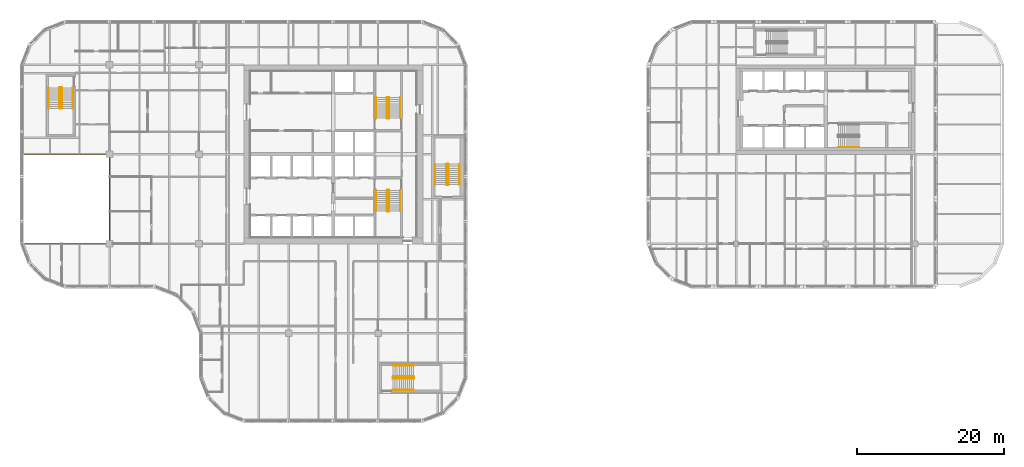
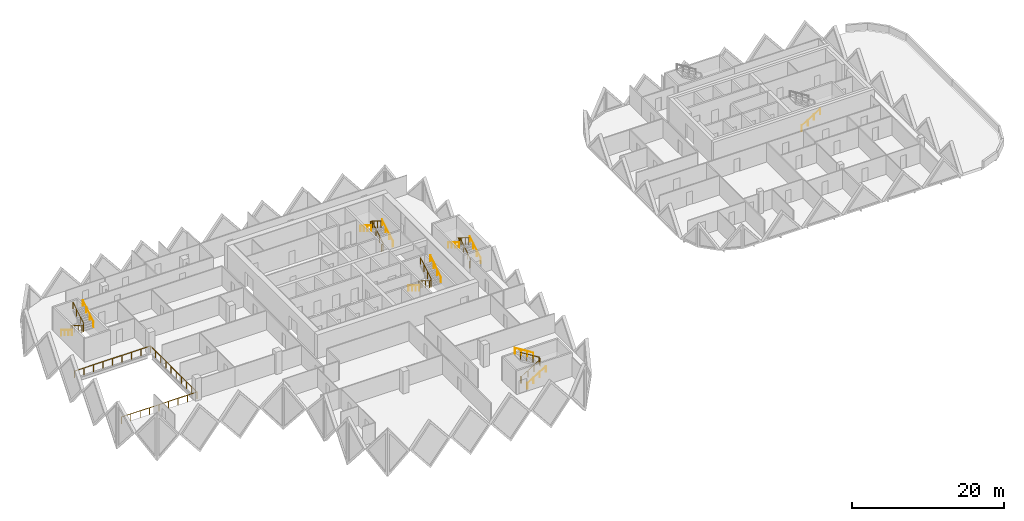
# One storey, part 17 of 18: 17 railings.
"""IFC4 building model written with IfcOpenShell, lengths in metres."""

from ifc_helpers import new_model, si_unit, direction, frame, origin, origin_2d, place, context, subcontext, project, spatial, circle, extrude, material, type_object, element, save


model = new_model("IFC4")

# Units and contexts
model_context = context("Model", 3, precision=1e-05, world=origin(), true_north=direction((0.0, 1.0)))
body_context = subcontext(model_context, "Body", "Model", "MODEL_VIEW")
ifc_project = project(units=[si_unit("LENGTHUNIT", "METRE"), si_unit("AREAUNIT", "SQUARE_METRE"), si_unit("VOLUMEUNIT", "CUBIC_METRE"), si_unit("PLANEANGLEUNIT", "RADIAN"), si_unit("MASSUNIT", "GRAM", prefix="KILO")], contexts=[model_context])

# Site, building, storey
site_placement = place(None, origin())
site = spatial("IfcSite", under=ifc_project, at=site_placement, CompositionType="ELEMENT")
building_placement = place(site_placement, origin())
building = spatial("IfcBuilding", under=site, at=building_placement, Name="Tessera Gate Towers", CompositionType="ELEMENT")
storey_placement = place(building_placement, frame((0.0, 0.0, 95.199951171875)))
storey = spatial("IfcBuildingStorey", under=building, at=storey_placement, Name="L23", CompositionType="ELEMENT", Elevation=95.199951171875)

# Railings
ifc_material_1 = material(Name="Toughened glass with stainless steel handrail", Category="steel")
railing_type_1 = type_object("IfcRailingType", Name="GUARD 1100 GLASS BALUSTRADE", PredefinedType="GUARDRAIL", material=ifc_material_1)
railing_1_placement = place(storey_placement, frame((0.750244140625, 24.39990234375, 0.0)))
element("IfcRailing", 1, at=railing_1_placement, inside=storey, type_object=railing_type_1, Name="Guard", PredefinedType="GUARDRAIL", context=body_context, shape_type="SweptSolid", body=[
    extrude(circle(Radius=0.02490234375, at=origin_2d()), frame((0.0, 0.0, 1.0751953125), z_axis=(1.0, 0.0, 0.0), x_axis=(0.0, 1.0, 0.0)), (0.0, 0.0, 1.0), 11.44970703125),
    extrude(circle(Radius=0.02490234375, at=origin_2d()), frame((11.44970703125, 0.0, 1.0751953125), z_axis=(0.0, 1.0, 0.0), x_axis=(-1.0, 0.0, 0.0)), (0.0, 0.0, 1.0), 12.2001953125),
    extrude(circle(Radius=0.02490234375, at=origin_2d()), frame((11.44970703125, 12.2001953125, 1.0751953125), z_axis=(-1.0, 0.0, 0.0), x_axis=(0.0, -1.0, 0.0)), (0.0, 0.0, 1.0), 11.5),
    extrude(circle(Radius=0.02490234375, at=origin_2d()), origin(), (0.0, 0.0, 1.0), 1.050048828125),
    extrude(circle(Radius=0.02490234375, at=origin_2d()), frame((1.43115234375, 0.0, 0.0)), (0.0, 0.0, 1.0), 1.050048828125),
    extrude(circle(Radius=0.02490234375, at=origin_2d()), frame((2.8623046875, 0.0, 0.0)), (0.0, 0.0, 1.0), 1.050048828125),
    extrude(circle(Radius=0.02490234375, at=origin_2d()), frame((4.293701171875, 0.0, 0.0)), (0.0, 0.0, 1.0), 1.050048828125),
    extrude(circle(Radius=0.02490234375, at=origin_2d()), frame((5.724853515625, 0.0, 0.0)), (0.0, 0.0, 1.0), 1.050048828125),
    extrude(circle(Radius=0.02490234375, at=origin_2d()), frame((7.156005859375, 0.0, 0.0)), (0.0, 0.0, 1.0), 1.050048828125),
    extrude(circle(Radius=0.02490234375, at=origin_2d()), frame((8.58740234375, 0.0, 0.0)), (0.0, 0.0, 1.0), 1.050048828125),
    extrude(circle(Radius=0.02490234375, at=origin_2d()), frame((10.0185546875, 0.0, 0.0)), (0.0, 0.0, 1.0), 1.050048828125),
    extrude(circle(Radius=0.02490234375, at=origin_2d()), frame((11.44970703125, 0.0, 0.0)), (0.0, 0.0, 1.0), 1.050048828125),
    extrude(circle(Radius=0.02490234375, at=origin_2d()), frame((11.44970703125, 1.35546875, 0.0)), (0.0, 0.0, 1.0), 1.050048828125),
    extrude(circle(Radius=0.02490234375, at=origin_2d()), frame((11.44970703125, 2.711181640625, 0.0)), (0.0, 0.0, 1.0), 1.050048828125),
    extrude(circle(Radius=0.02490234375, at=origin_2d()), frame((11.44970703125, 4.066650390625, 0.0)), (0.0, 0.0, 1.0), 1.050048828125),
    extrude(circle(Radius=0.02490234375, at=origin_2d()), frame((11.44970703125, 5.42236328125, 0.0)), (0.0, 0.0, 1.0), 1.050048828125),
    extrude(circle(Radius=0.02490234375, at=origin_2d()), frame((11.44970703125, 6.77783203125, 0.0)), (0.0, 0.0, 1.0), 1.050048828125),
    extrude(circle(Radius=0.02490234375, at=origin_2d()), frame((11.44970703125, 8.133544921875, 0.0)), (0.0, 0.0, 1.0), 1.050048828125),
    extrude(circle(Radius=0.02490234375, at=origin_2d()), frame((11.44970703125, 9.489013671875, 0.0)), (0.0, 0.0, 1.0), 1.050048828125),
    extrude(circle(Radius=0.02490234375, at=origin_2d()), frame((11.44970703125, 10.8447265625, 0.0)), (0.0, 0.0, 1.0), 1.050048828125),
    extrude(circle(Radius=0.02490234375, at=origin_2d()), frame((11.44970703125, 12.2001953125, 0.0)), (0.0, 0.0, 1.0), 1.050048828125),
    extrude(circle(Radius=0.02490234375, at=origin_2d()), frame((10.01220703125, 12.2001953125, 0.0)), (0.0, 0.0, 1.0), 1.050048828125),
    extrude(circle(Radius=0.02490234375, at=origin_2d()), frame((8.57470703125, 12.2001953125, 0.0)), (0.0, 0.0, 1.0), 1.050048828125),
    extrude(circle(Radius=0.02490234375, at=origin_2d()), frame((7.13720703125, 12.2001953125, 0.0)), (0.0, 0.0, 1.0), 1.050048828125),
    extrude(circle(Radius=0.02490234375, at=origin_2d()), frame((5.69970703125, 12.2001953125, 0.0)), (0.0, 0.0, 1.0), 1.050048828125),
    extrude(circle(Radius=0.02490234375, at=origin_2d()), frame((4.26220703125, 12.2001953125, 0.0)), (0.0, 0.0, 1.0), 1.050048828125),
    extrude(circle(Radius=0.02490234375, at=origin_2d()), frame((2.82470703125, 12.2001953125, 0.0)), (0.0, 0.0, 1.0), 1.050048828125),
    extrude(circle(Radius=0.02490234375, at=origin_2d()), frame((1.38720703125, 12.2001953125, 0.0)), (0.0, 0.0, 1.0), 1.050048828125),
    extrude(circle(Radius=0.02490234375, at=origin_2d()), frame((-0.05029296875, 12.2001953125, 0.0)), (0.0, 0.0, 1.0), 1.050048828125),
])
ifc_material_2 = material(Name="Steel 350W", Category="steel")
railing_type_2 = type_object("IfcRailingType", Name="STAIR GUARD 1100", PredefinedType="GUARDRAIL", material=ifc_material_2)
railing_2_placement = place(storey_placement, frame((50.27490234375, 31.72509765625, 0.0)))
element("IfcRailing", 2, at=railing_2_placement, inside=storey, type_object=railing_type_2, Name="L23 ST1 stair guard 1", PredefinedType="GUARDRAIL", context=body_context, shape_type="SweptSolid", body=[
    extrude(circle(Radius=0.02392578125, at=origin_2d()), frame((0.0, 0.0, 1.076171875), z_axis=(-1.0, 0.0, 0.0), x_axis=(0.0, -1.0, 0.0)), (0.0, 0.0, 1.0), 0.199951171875),
    extrude(circle(Radius=0.02392578125, at=origin_2d()), frame((-0.199951171875, 0.0, 1.076171875), z_axis=(-0.267953482034, -0.267953482034, 0.925419830635), x_axis=(0.707106781187, -0.707106781187, 0.0)), (0.0, 0.0, 1.0), 0.186767578125),
    extrude(circle(Radius=0.02392578125, at=origin_2d()), frame((-0.25, -0.050048828125, 1.2490234375), z_axis=(0.0, -0.851089632645, 0.525020415988), x_axis=(1.0, 0.0, 0.0)), (0.0, 0.0, 1.0), 3.2900390625),
    extrude(circle(Radius=0.02392578125, at=origin_2d()), frame((-0.25, -2.85009765625, 2.97607421875), z_axis=(0.707106781187, -0.707106781187, 0.0), x_axis=(0.707106781187, 0.707106781187, 0.0)), (0.0, 0.0, 1.0), 0.07080078125),
    extrude(circle(Radius=0.02392578125, at=origin_2d()), frame((-0.199951171875, -2.900146484375, 2.97607421875), z_axis=(1.0, 0.0, 0.0), x_axis=(0.0, 1.0, 0.0)), (0.0, 0.0, 1.0), 0.199951171875),
    extrude(circle(Radius=0.02392578125, at=origin_2d()), frame((0.0, -2.900146484375, 2.97607421875), z_axis=(0.268277960024, 0.268277960024, 0.925231793839), x_axis=(-0.707106781187, 0.707106781187, 0.0)), (0.0, 0.0, 1.0), 0.1865234375),
    extrude(circle(Radius=0.02392578125, at=origin_2d()), frame((0.050048828125, -2.85009765625, 3.14892578125), z_axis=(0.0, 0.851089632645, 0.525020415988), x_axis=(-1.0, 0.0, 0.0)), (0.0, 0.0, 1.0), 3.2900390625),
    extrude(circle(Radius=0.02099609375, at=origin_2d()), origin(), (0.0, 0.0, 1.0), 1.052001953125),
    extrude(circle(Radius=0.02099609375, at=origin_2d()), frame((-0.199951171875, 0.0, 0.0)), (0.0, 0.0, 1.0), 1.052001953125),
    extrude(circle(Radius=0.02099609375, at=origin_2d()), frame((-0.25, -0.050048828125, 0.1728515625)), (0.0, 0.0, 1.0), 1.052001953125),
    extrude(circle(Radius=0.02099609375, at=origin_2d()), frame((-0.25, -0.9833984375, 0.74853515625)), (0.0, 0.0, 1.0), 1.052001953125),
    extrude(circle(Radius=0.02099609375, at=origin_2d()), frame((-0.25, -1.916748046875, 1.324462890625)), (0.0, 0.0, 1.0), 1.052001953125),
    extrude(circle(Radius=0.02099609375, at=origin_2d()), frame((-0.25, -2.85009765625, 1.900146484375)), (0.0, 0.0, 1.0), 1.052001953125),
    extrude(circle(Radius=0.02099609375, at=origin_2d()), frame((-0.199951171875, -2.900146484375, 1.900146484375)), (0.0, 0.0, 1.0), 1.052001953125),
    extrude(circle(Radius=0.02099609375, at=origin_2d()), frame((0.0, -2.900146484375, 1.900146484375)), (0.0, 0.0, 1.0), 1.052001953125),
    extrude(circle(Radius=0.02099609375, at=origin_2d()), frame((0.050048828125, -2.85009765625, 2.07275390625)), (0.0, 0.0, 1.0), 1.052001953125),
    extrude(circle(Radius=0.02099609375, at=origin_2d()), frame((0.050048828125, -1.916748046875, 2.6484375)), (0.0, 0.0, 1.0), 1.052001953125),
    extrude(circle(Radius=0.02099609375, at=origin_2d()), frame((0.050048828125, -0.9833984375, 3.224365234375)), (0.0, 0.0, 1.0), 1.052001953125),
    extrude(circle(Radius=0.02099609375, at=origin_2d()), frame((0.050048828125, -0.050048828125, 3.800048828125)), (0.0, 0.0, 1.0), 1.052001953125),
])
railing_3_placement = place(storey_placement, frame((50.074951171875, 41.47509765625, 0.0)))
element("IfcRailing", 3, at=railing_3_placement, inside=storey, type_object=railing_type_2, Name="L23 ST2 stair guard 1", PredefinedType="GUARDRAIL", context=body_context, shape_type="SweptSolid", body=[
    extrude(circle(Radius=0.02392578125, at=origin_2d()), frame((0.0, 0.0, 1.076171875), z_axis=(1.0, 0.0, 0.0), x_axis=(0.0, 1.0, 0.0)), (0.0, 0.0, 1.0), 0.199951171875),
    extrude(circle(Radius=0.02392578125, at=origin_2d()), frame((0.199951171875, 0.0, 1.076171875), z_axis=(0.268047150085, 0.266739603011, 0.925743328097), x_axis=(-0.705375805398, 0.708833529934, 0.0)), (0.0, 0.0, 1.0), 0.186767578125),
    extrude(circle(Radius=0.02392578125, at=origin_2d()), frame((0.25, 0.0498046875, 1.2490234375), z_axis=(0.0, 0.851089632645, 0.525020415988), x_axis=(-1.0, 0.0, 0.0)), (0.0, 0.0, 1.0), 3.2900390625),
    extrude(circle(Radius=0.02392578125, at=origin_2d()), frame((0.25, 2.849853515625, 2.97607421875), z_axis=(-0.707106781187, 0.707106781187, 0.0), x_axis=(-0.707106781187, -0.707106781187, 0.0)), (0.0, 0.0, 1.0), 0.07080078125),
    extrude(circle(Radius=0.02392578125, at=origin_2d()), frame((0.199951171875, 2.89990234375, 2.97607421875), z_axis=(-1.0, 0.0, 0.0), x_axis=(0.0, -1.0, 0.0)), (0.0, 0.0, 1.0), 0.199951171875),
    extrude(circle(Radius=0.02392578125, at=origin_2d()), frame((0.0, 2.89990234375, 2.97607421875), z_axis=(-0.268277960024, -0.268277960024, 0.925231793839), x_axis=(0.707106781187, -0.707106781187, 0.0)), (0.0, 0.0, 1.0), 0.1865234375),
    extrude(circle(Radius=0.02392578125, at=origin_2d()), frame((-0.050048828125, 2.849853515625, 3.14892578125), z_axis=(0.0, -0.851089632645, 0.525020415988), x_axis=(1.0, 0.0, 0.0)), (0.0, 0.0, 1.0), 3.2900390625),
    extrude(circle(Radius=0.02099609375, at=origin_2d()), origin(), (0.0, 0.0, 1.0), 1.052001953125),
    extrude(circle(Radius=0.02099609375, at=origin_2d()), frame((0.199951171875, 0.0, 0.0)), (0.0, 0.0, 1.0), 1.052001953125),
    extrude(circle(Radius=0.02099609375, at=origin_2d()), frame((0.25, 0.0498046875, 0.1728515625)), (0.0, 0.0, 1.0), 1.052001953125),
    extrude(circle(Radius=0.02099609375, at=origin_2d()), frame((0.25, 0.983154296875, 0.74853515625)), (0.0, 0.0, 1.0), 1.052001953125),
    extrude(circle(Radius=0.02099609375, at=origin_2d()), frame((0.25, 1.91650390625, 1.324462890625)), (0.0, 0.0, 1.0), 1.052001953125),
    extrude(circle(Radius=0.02099609375, at=origin_2d()), frame((0.25, 2.849853515625, 1.900146484375)), (0.0, 0.0, 1.0), 1.052001953125),
    extrude(circle(Radius=0.02099609375, at=origin_2d()), frame((0.199951171875, 2.89990234375, 1.900146484375)), (0.0, 0.0, 1.0), 1.052001953125),
    extrude(circle(Radius=0.02099609375, at=origin_2d()), frame((0.0, 2.89990234375, 1.900146484375)), (0.0, 0.0, 1.0), 1.052001953125),
    extrude(circle(Radius=0.02099609375, at=origin_2d()), frame((-0.050048828125, 2.849853515625, 2.07275390625)), (0.0, 0.0, 1.0), 1.052001953125),
    extrude(circle(Radius=0.02099609375, at=origin_2d()), frame((-0.050048828125, 1.91650390625, 2.6484375)), (0.0, 0.0, 1.0), 1.052001953125),
    extrude(circle(Radius=0.02099609375, at=origin_2d()), frame((-0.050048828125, 0.983154296875, 3.224365234375)), (0.0, 0.0, 1.0), 1.052001953125),
    extrude(circle(Radius=0.02099609375, at=origin_2d()), frame((-0.050048828125, 0.0498046875, 3.800048828125)), (0.0, 0.0, 1.0), 1.052001953125),
])
railing_4_placement = place(storey_placement, frame((5.64990234375, 45.699951171875, 0.0)))
element("IfcRailing", 4, at=railing_4_placement, inside=storey, type_object=railing_type_2, Name="L23 ST3 stair guard 1", PredefinedType="GUARDRAIL", context=body_context, shape_type="SweptSolid", body=[
    extrude(circle(Radius=0.02392578125, at=origin_2d()), frame((0.0, 0.0, 1.076171875), z_axis=(-1.0, 0.0, 0.0), x_axis=(0.0, -1.0, 0.0)), (0.0, 0.0, 1.0), 0.199951171875),
    extrude(circle(Radius=0.02392578125, at=origin_2d()), frame((-0.199951171875, 0.0, 1.076171875), z_axis=(-0.267953482034, -0.267953482034, 0.925419830635), x_axis=(0.707106781187, -0.707106781187, 0.0)), (0.0, 0.0, 1.0), 0.186767578125),
    extrude(circle(Radius=0.02392578125, at=origin_2d()), frame((-0.25, -0.050048828125, 1.2490234375), z_axis=(0.0, -0.851069175582, 0.525053576669), x_axis=(1.0, 0.0, 0.0)), (0.0, 0.0, 1.0), 3.289794921875),
    extrude(circle(Radius=0.02392578125, at=origin_2d()), frame((-0.25, -2.849853515625, 2.97607421875), z_axis=(0.707106781187, -0.707106781187, 0.0), x_axis=(0.707106781187, 0.707106781187, 0.0)), (0.0, 0.0, 1.0), 0.07080078125),
    extrude(circle(Radius=0.02392578125, at=origin_2d()), frame((-0.199951171875, -2.89990234375, 2.97607421875), z_axis=(1.0, 0.0, 0.0), x_axis=(0.0, 1.0, 0.0)), (0.0, 0.0, 1.0), 0.199951171875),
    extrude(circle(Radius=0.02392578125, at=origin_2d()), frame((0.0, -2.89990234375, 2.97607421875), z_axis=(0.268277960024, 0.268277960024, 0.925231793839), x_axis=(-0.707106781187, 0.707106781187, 0.0)), (0.0, 0.0, 1.0), 0.1865234375),
    extrude(circle(Radius=0.02392578125, at=origin_2d()), frame((0.050048828125, -2.849853515625, 3.14892578125), z_axis=(0.0, 0.851069175582, 0.525053576669), x_axis=(-1.0, 0.0, 0.0)), (0.0, 0.0, 1.0), 3.289794921875),
    extrude(circle(Radius=0.02099609375, at=origin_2d()), origin(), (0.0, 0.0, 1.0), 1.052001953125),
    extrude(circle(Radius=0.02099609375, at=origin_2d()), frame((-0.199951171875, 0.0, 0.0)), (0.0, 0.0, 1.0), 1.052001953125),
    extrude(circle(Radius=0.02099609375, at=origin_2d()), frame((-0.25, -0.050048828125, 0.1728515625)), (0.0, 0.0, 1.0), 1.052001953125),
    extrude(circle(Radius=0.02099609375, at=origin_2d()), frame((-0.25, -0.9833984375, 0.74853515625)), (0.0, 0.0, 1.0), 1.052001953125),
    extrude(circle(Radius=0.02099609375, at=origin_2d()), frame((-0.25, -1.91650390625, 1.324462890625)), (0.0, 0.0, 1.0), 1.052001953125),
    extrude(circle(Radius=0.02099609375, at=origin_2d()), frame((-0.25, -2.849853515625, 1.900146484375)), (0.0, 0.0, 1.0), 1.052001953125),
    extrude(circle(Radius=0.02099609375, at=origin_2d()), frame((-0.199951171875, -2.89990234375, 1.900146484375)), (0.0, 0.0, 1.0), 1.052001953125),
    extrude(circle(Radius=0.02099609375, at=origin_2d()), frame((0.0, -2.89990234375, 1.900146484375)), (0.0, 0.0, 1.0), 1.052001953125),
    extrude(circle(Radius=0.02099609375, at=origin_2d()), frame((0.050048828125, -2.849853515625, 2.07275390625)), (0.0, 0.0, 1.0), 1.052001953125),
    extrude(circle(Radius=0.02099609375, at=origin_2d()), frame((0.050048828125, -1.91650390625, 2.6484375)), (0.0, 0.0, 1.0), 1.052001953125),
    extrude(circle(Radius=0.02099609375, at=origin_2d()), frame((0.050048828125, -0.9833984375, 3.224365234375)), (0.0, 0.0, 1.0), 1.052001953125),
    extrude(circle(Radius=0.02099609375, at=origin_2d()), frame((0.050048828125, -0.050048828125, 3.800048828125)), (0.0, 0.0, 1.0), 1.052001953125),
])
railing_5_placement = place(storey_placement, frame((50.800048828125, 6.25, 0.0)))
element("IfcRailing", 5, at=railing_5_placement, inside=storey, type_object=railing_type_2, Name="L23 ST4 stair guard 1", PredefinedType="GUARDRAIL", context=body_context, shape_type="SweptSolid", body=[
    extrude(circle(Radius=0.02392578125, at=origin_2d()), frame((0.0, 0.0, 1.076171875), z_axis=(0.0, -1.0, 0.0), x_axis=(1.0, 0.0, 0.0)), (0.0, 0.0, 1.0), 0.199951171875),
    extrude(circle(Radius=0.02392578125, at=origin_2d()), frame((0.0, -0.199951171875, 1.076171875), z_axis=(0.267953482034, -0.267953482034, 0.925419830635), x_axis=(0.707106781187, 0.707106781187, 0.0)), (0.0, 0.0, 1.0), 0.186767578125),
    extrude(circle(Radius=0.02392578125, at=origin_2d()), frame((0.050048828125, -0.25, 1.2490234375), z_axis=(0.851069175582, 0.0, 0.525053576669), x_axis=(0.0, 1.0, 0.0)), (0.0, 0.0, 1.0), 3.289794921875),
    extrude(circle(Radius=0.02392578125, at=origin_2d()), frame((2.849853515625, -0.25, 2.97607421875), z_axis=(0.707106781187, 0.707106781187, 0.0), x_axis=(-0.707106781187, 0.707106781187, 0.0)), (0.0, 0.0, 1.0), 0.07080078125),
    extrude(circle(Radius=0.02392578125, at=origin_2d()), frame((2.89990234375, -0.199951171875, 2.97607421875), z_axis=(0.0, 1.0, 0.0), x_axis=(-1.0, 0.0, 0.0)), (0.0, 0.0, 1.0), 0.199951171875),
    extrude(circle(Radius=0.02392578125, at=origin_2d()), frame((2.89990234375, 0.0, 2.97607421875), z_axis=(-0.268277960024, 0.268277960024, 0.925231793839), x_axis=(-0.707106781187, -0.707106781187, 0.0)), (0.0, 0.0, 1.0), 0.1865234375),
    extrude(circle(Radius=0.02392578125, at=origin_2d()), frame((2.849853515625, 0.050048828125, 3.14892578125), z_axis=(-0.851069175582, 0.0, 0.525053576669), x_axis=(0.0, -1.0, 0.0)), (0.0, 0.0, 1.0), 3.289794921875),
    extrude(circle(Radius=0.02099609375, at=origin_2d()), origin(), (0.0, 0.0, 1.0), 1.052001953125),
    extrude(circle(Radius=0.02099609375, at=origin_2d()), frame((0.0, -0.199951171875, 0.0)), (0.0, 0.0, 1.0), 1.052001953125),
    extrude(circle(Radius=0.02099609375, at=origin_2d()), frame((0.050048828125, -0.25, 0.1728515625)), (0.0, 0.0, 1.0), 1.052001953125),
    extrude(circle(Radius=0.02099609375, at=origin_2d()), frame((0.9833984375, -0.25, 0.74853515625)), (0.0, 0.0, 1.0), 1.052001953125),
    extrude(circle(Radius=0.02099609375, at=origin_2d()), frame((1.91650390625, -0.25, 1.324462890625)), (0.0, 0.0, 1.0), 1.052001953125),
    extrude(circle(Radius=0.02099609375, at=origin_2d()), frame((2.849853515625, -0.25, 1.900146484375)), (0.0, 0.0, 1.0), 1.052001953125),
    extrude(circle(Radius=0.02099609375, at=origin_2d()), frame((2.89990234375, -0.199951171875, 1.900146484375)), (0.0, 0.0, 1.0), 1.052001953125),
    extrude(circle(Radius=0.02099609375, at=origin_2d()), frame((2.89990234375, 0.0, 1.900146484375)), (0.0, 0.0, 1.0), 1.052001953125),
    extrude(circle(Radius=0.02099609375, at=origin_2d()), frame((2.849853515625, 0.050048828125, 2.07275390625)), (0.0, 0.0, 1.0), 1.052001953125),
    extrude(circle(Radius=0.02099609375, at=origin_2d()), frame((1.91650390625, 0.050048828125, 2.6484375)), (0.0, 0.0, 1.0), 1.052001953125),
    extrude(circle(Radius=0.02099609375, at=origin_2d()), frame((0.9833984375, 0.050048828125, 3.224365234375)), (0.0, 0.0, 1.0), 1.052001953125),
    extrude(circle(Radius=0.02099609375, at=origin_2d()), frame((0.050048828125, 0.050048828125, 3.800048828125)), (0.0, 0.0, 1.0), 1.052001953125),
])
railing_6_placement = place(storey_placement, frame((58.14990234375, 32.39990234375, 0.0)))
element("IfcRailing", 6, at=railing_6_placement, inside=storey, type_object=railing_type_2, Name="L23 ST5 stair guard 1", PredefinedType="GUARDRAIL", context=body_context, shape_type="SweptSolid", body=[
    extrude(circle(Radius=0.02392578125, at=origin_2d()), frame((0.0, 0.0, 1.076171875), z_axis=(1.0, 0.0, 0.0), x_axis=(0.0, 1.0, 0.0)), (0.0, 0.0, 1.0), 0.2001953125),
    extrude(circle(Radius=0.02392578125, at=origin_2d()), frame((0.2001953125, 0.0, 1.076171875), z_axis=(0.266739603011, 0.268047150085, 0.925743328097), x_axis=(-0.708833529934, 0.705375805398, 0.0)), (0.0, 0.0, 1.0), 0.186767578125),
    extrude(circle(Radius=0.02392578125, at=origin_2d()), frame((0.25, 0.050048828125, 1.2490234375), z_axis=(0.0, 0.851089632645, 0.525020415988), x_axis=(-1.0, 0.0, 0.0)), (0.0, 0.0, 1.0), 3.2900390625),
    extrude(circle(Radius=0.02392578125, at=origin_2d()), frame((0.25, 2.85009765625, 2.97607421875), z_axis=(-0.705375805398, 0.708833529934, 0.0), x_axis=(-0.708833529934, -0.705375805398, 0.0)), (0.0, 0.0, 1.0), 0.070556640625),
    extrude(circle(Radius=0.02392578125, at=origin_2d()), frame((0.2001953125, 2.900146484375, 2.97607421875), z_axis=(-1.0, 0.0, 0.0), x_axis=(0.0, -1.0, 0.0)), (0.0, 0.0, 1.0), 0.2001953125),
    extrude(circle(Radius=0.02392578125, at=origin_2d()), frame((0.0, 2.900146484375, 2.97607421875), z_axis=(-0.267062837333, -0.268371968888, 0.925556009775), x_axis=(0.708833529934, -0.705375805398, 0.0)), (0.0, 0.0, 1.0), 0.1865234375),
    extrude(circle(Radius=0.02392578125, at=origin_2d()), frame((-0.0498046875, 2.85009765625, 3.14892578125), z_axis=(0.0, -0.851089632645, 0.525020415988), x_axis=(1.0, 0.0, 0.0)), (0.0, 0.0, 1.0), 3.2900390625),
    extrude(circle(Radius=0.02099609375, at=origin_2d()), origin(), (0.0, 0.0, 1.0), 1.052001953125),
    extrude(circle(Radius=0.02099609375, at=origin_2d()), frame((0.2001953125, 0.0, 0.0)), (0.0, 0.0, 1.0), 1.052001953125),
    extrude(circle(Radius=0.02099609375, at=origin_2d()), frame((0.25, 0.050048828125, 0.1728515625)), (0.0, 0.0, 1.0), 1.052001953125),
    extrude(circle(Radius=0.02099609375, at=origin_2d()), frame((0.25, 0.9833984375, 0.74853515625)), (0.0, 0.0, 1.0), 1.052001953125),
    extrude(circle(Radius=0.02099609375, at=origin_2d()), frame((0.25, 1.916748046875, 1.324462890625)), (0.0, 0.0, 1.0), 1.052001953125),
    extrude(circle(Radius=0.02099609375, at=origin_2d()), frame((0.25, 2.85009765625, 1.900146484375)), (0.0, 0.0, 1.0), 1.052001953125),
    extrude(circle(Radius=0.02099609375, at=origin_2d()), frame((0.2001953125, 2.900146484375, 1.900146484375)), (0.0, 0.0, 1.0), 1.052001953125),
    extrude(circle(Radius=0.02099609375, at=origin_2d()), frame((0.0, 2.900146484375, 1.900146484375)), (0.0, 0.0, 1.0), 1.052001953125),
    extrude(circle(Radius=0.02099609375, at=origin_2d()), frame((-0.0498046875, 2.85009765625, 2.07275390625)), (0.0, 0.0, 1.0), 1.052001953125),
    extrude(circle(Radius=0.02099609375, at=origin_2d()), frame((-0.0498046875, 1.916748046875, 2.6484375)), (0.0, 0.0, 1.0), 1.052001953125),
    extrude(circle(Radius=0.02099609375, at=origin_2d()), frame((-0.0498046875, 0.9833984375, 3.224365234375)), (0.0, 0.0, 1.0), 1.052001953125),
    extrude(circle(Radius=0.02099609375, at=origin_2d()), frame((-0.0498046875, 0.050048828125, 3.800048828125)), (0.0, 0.0, 1.0), 1.052001953125),
])
ifc_material_3 = material(Name="Steel 350W", Category="steel")
railing_type_3 = type_object("IfcRailingType", Name="STAIR HANDRAIL 900", PredefinedType="HANDRAIL", material=ifc_material_3)
railing_7_placement = place(storey_placement, frame((48.52490234375, 31.675048828125, 0.1728515625)))
element("IfcRailing", 7, at=railing_7_placement, inside=storey, type_object=railing_type_3, Name="L23 ST1 stair handrail 1", PredefinedType="HANDRAIL", context=body_context, shape_type="SweptSolid", body=[
    extrude(circle(Radius=0.02392578125, at=origin_2d()), frame((0.0, 0.0, 0.8759765625), z_axis=(0.0, -0.851089632645, 0.525020415988), x_axis=(1.0, 0.0, 0.0)), (0.0, 0.0, 1.0), 3.2900390625),
    extrude(circle(Radius=0.02099609375, at=origin_2d()), origin(), (0.0, 0.0, 1.0), 0.851806640625),
    extrude(circle(Radius=0.02099609375, at=origin_2d()), frame((0.0, -0.933349609375, 0.57568359375)), (0.0, 0.0, 1.0), 0.851806640625),
    extrude(circle(Radius=0.02099609375, at=origin_2d()), frame((0.0, -1.86669921875, 1.151611328125)), (0.0, 0.0, 1.0), 0.851806640625),
    extrude(circle(Radius=0.02099609375, at=origin_2d()), frame((0.0, -2.800048828125, 1.727294921875)), (0.0, 0.0, 1.0), 0.851806640625),
])
for number, where, name in (
    (8, (51.824951171875, 28.875, 2.07275390625), "L23 ST1 stair handrail 2"),
    (9, (51.824951171875, 41.52490234375, 0.1728515625), "L23 ST2 stair handrail 1"),
):
    element("IfcRailing", number, at=place(storey_placement, frame(where)), inside=storey, type_object=railing_type_3, Name=name, PredefinedType="HANDRAIL", context=body_context, shape_type="SweptSolid", body=[
        extrude(circle(Radius=0.02392578125, at=origin_2d()), frame((0.0, 0.0, 0.8759765625), z_axis=(0.0, 0.851089632645, 0.525020415988), x_axis=(-1.0, 0.0, 0.0)), (0.0, 0.0, 1.0), 3.2900390625),
        extrude(circle(Radius=0.02099609375, at=origin_2d()), origin(), (0.0, 0.0, 1.0), 0.851806640625),
        extrude(circle(Radius=0.02099609375, at=origin_2d()), frame((0.0, 0.933349609375, 0.57568359375)), (0.0, 0.0, 1.0), 0.851806640625),
        extrude(circle(Radius=0.02099609375, at=origin_2d()), frame((0.0, 1.86669921875, 1.151611328125)), (0.0, 0.0, 1.0), 0.851806640625),
        extrude(circle(Radius=0.02099609375, at=origin_2d()), frame((0.0, 2.800048828125, 1.727294921875)), (0.0, 0.0, 1.0), 0.851806640625),
    ])
railing_8_placement = place(storey_placement, frame((48.52490234375, 44.324951171875, 2.07275390625)))
element("IfcRailing", 10, at=railing_8_placement, inside=storey, type_object=railing_type_3, Name="L23 ST2 stair handrail 2", PredefinedType="HANDRAIL", context=body_context, shape_type="SweptSolid", body=[
    extrude(circle(Radius=0.02392578125, at=origin_2d()), frame((0.0, 0.0, 0.8759765625), z_axis=(0.0, -0.851089632645, 0.525020415988), x_axis=(1.0, 0.0, 0.0)), (0.0, 0.0, 1.0), 3.2900390625),
    extrude(circle(Radius=0.02099609375, at=origin_2d()), origin(), (0.0, 0.0, 1.0), 0.851806640625),
    extrude(circle(Radius=0.02099609375, at=origin_2d()), frame((0.0, -0.933349609375, 0.57568359375)), (0.0, 0.0, 1.0), 0.851806640625),
    extrude(circle(Radius=0.02099609375, at=origin_2d()), frame((0.0, -1.86669921875, 1.151611328125)), (0.0, 0.0, 1.0), 0.851806640625),
    extrude(circle(Radius=0.02099609375, at=origin_2d()), frame((0.0, -2.800048828125, 1.727294921875)), (0.0, 0.0, 1.0), 0.851806640625),
])
railing_9_placement = place(storey_placement, frame((3.89990234375, 45.64990234375, 0.1728515625)))
element("IfcRailing", 11, at=railing_9_placement, inside=storey, type_object=railing_type_3, Name="L23 ST3 stair handrail 1", PredefinedType="HANDRAIL", context=body_context, shape_type="SweptSolid", body=[
    extrude(circle(Radius=0.02392578125, at=origin_2d()), frame((0.0, 0.0, 0.8759765625), z_axis=(0.0, -0.851069175582, 0.525053576669), x_axis=(1.0, 0.0, 0.0)), (0.0, 0.0, 1.0), 3.289794921875),
    extrude(circle(Radius=0.02099609375, at=origin_2d()), origin(), (0.0, 0.0, 1.0), 0.851806640625),
    extrude(circle(Radius=0.02099609375, at=origin_2d()), frame((0.0, -0.933349609375, 0.57568359375)), (0.0, 0.0, 1.0), 0.851806640625),
    extrude(circle(Radius=0.02099609375, at=origin_2d()), frame((0.0, -1.866455078125, 1.151611328125)), (0.0, 0.0, 1.0), 0.851806640625),
    extrude(circle(Radius=0.02099609375, at=origin_2d()), frame((0.0, -2.7998046875, 1.727294921875)), (0.0, 0.0, 1.0), 0.851806640625),
])
railing_10_placement = place(storey_placement, frame((7.199951171875, 42.85009765625, 2.07275390625)))
element("IfcRailing", 12, at=railing_10_placement, inside=storey, type_object=railing_type_3, Name="L23 ST3 stair handrail 2", PredefinedType="HANDRAIL", context=body_context, shape_type="SweptSolid", body=[
    extrude(circle(Radius=0.02392578125, at=origin_2d()), frame((0.0, 0.0, 0.8759765625), z_axis=(0.0, 0.851069175582, 0.525053576669), x_axis=(-1.0, 0.0, 0.0)), (0.0, 0.0, 1.0), 3.289794921875),
    extrude(circle(Radius=0.02099609375, at=origin_2d()), origin(), (0.0, 0.0, 1.0), 0.851806640625),
    extrude(circle(Radius=0.02099609375, at=origin_2d()), frame((0.0, 0.933349609375, 0.57568359375)), (0.0, 0.0, 1.0), 0.851806640625),
    extrude(circle(Radius=0.02099609375, at=origin_2d()), frame((0.0, 1.866455078125, 1.151611328125)), (0.0, 0.0, 1.0), 0.851806640625),
    extrude(circle(Radius=0.02099609375, at=origin_2d()), frame((0.0, 2.7998046875, 1.727294921875)), (0.0, 0.0, 1.0), 0.851806640625),
])
railing_11_placement = place(storey_placement, frame((50.85009765625, 4.5, 0.1728515625)))
element("IfcRailing", 13, at=railing_11_placement, inside=storey, type_object=railing_type_3, Name="L23 ST4 stair handrail 1", PredefinedType="HANDRAIL", context=body_context, shape_type="SweptSolid", body=[
    extrude(circle(Radius=0.02392578125, at=origin_2d()), frame((0.0, 0.0, 0.8759765625), z_axis=(0.851069175582, 0.0, 0.525053576669), x_axis=(0.0, 1.0, 0.0)), (0.0, 0.0, 1.0), 3.289794921875),
    extrude(circle(Radius=0.02099609375, at=origin_2d()), origin(), (0.0, 0.0, 1.0), 0.851806640625),
    extrude(circle(Radius=0.02099609375, at=origin_2d()), frame((0.933349609375, 0.0, 0.57568359375)), (0.0, 0.0, 1.0), 0.851806640625),
    extrude(circle(Radius=0.02099609375, at=origin_2d()), frame((1.866455078125, 0.0, 1.151611328125)), (0.0, 0.0, 1.0), 0.851806640625),
    extrude(circle(Radius=0.02099609375, at=origin_2d()), frame((2.7998046875, 0.0, 1.727294921875)), (0.0, 0.0, 1.0), 0.851806640625),
])
railing_12_placement = place(storey_placement, frame((53.64990234375, 7.800048828125, 2.07275390625)))
element("IfcRailing", 14, at=railing_12_placement, inside=storey, type_object=railing_type_3, Name="L23 ST4 stair handrail 2", PredefinedType="HANDRAIL", context=body_context, shape_type="SweptSolid", body=[
    extrude(circle(Radius=0.02392578125, at=origin_2d()), frame((0.0, 0.0, 0.8759765625), z_axis=(-0.851069175582, 0.0, 0.525053576669), x_axis=(0.0, -1.0, 0.0)), (0.0, 0.0, 1.0), 3.289794921875),
    extrude(circle(Radius=0.02099609375, at=origin_2d()), origin(), (0.0, 0.0, 1.0), 0.851806640625),
    extrude(circle(Radius=0.02099609375, at=origin_2d()), frame((-0.933349609375, 0.0, 0.57568359375)), (0.0, 0.0, 1.0), 0.851806640625),
    extrude(circle(Radius=0.02099609375, at=origin_2d()), frame((-1.866455078125, 0.0, 1.151611328125)), (0.0, 0.0, 1.0), 0.851806640625),
    extrude(circle(Radius=0.02099609375, at=origin_2d()), frame((-2.7998046875, 0.0, 1.727294921875)), (0.0, 0.0, 1.0), 0.851806640625),
])
railing_13_placement = place(storey_placement, frame((59.89990234375, 32.449951171875, 0.1728515625)))
element("IfcRailing", 15, at=railing_13_placement, inside=storey, type_object=railing_type_3, Name="L23 ST5 stair handrail 1", PredefinedType="HANDRAIL", context=body_context, shape_type="SweptSolid", body=[
    extrude(circle(Radius=0.02392578125, at=origin_2d()), frame((0.0, 0.0, 0.8759765625), z_axis=(0.0, 0.851089632645, 0.525020415988), x_axis=(-1.0, 0.0, 0.0)), (0.0, 0.0, 1.0), 3.2900390625),
    extrude(circle(Radius=0.02099609375, at=origin_2d()), origin(), (0.0, 0.0, 1.0), 0.851806640625),
    extrude(circle(Radius=0.02099609375, at=origin_2d()), frame((0.0, 0.933349609375, 0.57568359375)), (0.0, 0.0, 1.0), 0.851806640625),
    extrude(circle(Radius=0.02099609375, at=origin_2d()), frame((0.0, 1.86669921875, 1.151611328125)), (0.0, 0.0, 1.0), 0.851806640625),
    extrude(circle(Radius=0.02099609375, at=origin_2d()), frame((0.0, 2.800048828125, 1.727294921875)), (0.0, 0.0, 1.0), 0.851806640625),
])
railing_14_placement = place(storey_placement, frame((56.60009765625, 35.25, 2.07275390625)))
element("IfcRailing", 16, at=railing_14_placement, inside=storey, type_object=railing_type_3, Name="L23 ST5 stair handrail 2", PredefinedType="HANDRAIL", context=body_context, shape_type="SweptSolid", body=[
    extrude(circle(Radius=0.02392578125, at=origin_2d()), frame((0.0, 0.0, 0.8759765625), z_axis=(0.0, -0.851089632645, 0.525020415988), x_axis=(1.0, 0.0, 0.0)), (0.0, 0.0, 1.0), 3.2900390625),
    extrude(circle(Radius=0.02099609375, at=origin_2d()), origin(), (0.0, 0.0, 1.0), 0.851806640625),
    extrude(circle(Radius=0.02099609375, at=origin_2d()), frame((0.0, -0.933349609375, 0.57568359375)), (0.0, 0.0, 1.0), 0.851806640625),
    extrude(circle(Radius=0.02099609375, at=origin_2d()), frame((0.0, -1.86669921875, 1.151611328125)), (0.0, 0.0, 1.0), 0.851806640625),
    extrude(circle(Radius=0.02099609375, at=origin_2d()), frame((0.0, -2.800048828125, 1.727294921875)), (0.0, 0.0, 1.0), 0.851806640625),
])
railing_15_placement = place(storey_placement, frame((111.550048828125, 37.550048828125, 0.1728515625)))
element("IfcRailing", 17, at=railing_15_placement, inside=storey, type_object=railing_type_3, Name="L23 ST6 stair handrail 1", PredefinedType="HANDRAIL", context=body_context, shape_type="SweptSolid", body=[
    extrude(circle(Radius=0.02392578125, at=origin_2d()), frame((0.0, 0.0, 0.8759765625), z_axis=(0.851089632645, 0.0, 0.525020415988), x_axis=(0.0, 1.0, 0.0)), (0.0, 0.0, 1.0), 3.2900390625),
    extrude(circle(Radius=0.02099609375, at=origin_2d()), origin(), (0.0, 0.0, 1.0), 0.851806640625),
    extrude(circle(Radius=0.02099609375, at=origin_2d()), frame((0.933349609375, 0.0, 0.57568359375)), (0.0, 0.0, 1.0), 0.851806640625),
    extrude(circle(Radius=0.02099609375, at=origin_2d()), frame((1.86669921875, 0.0, 1.151611328125)), (0.0, 0.0, 1.0), 0.851806640625),
    extrude(circle(Radius=0.02099609375, at=origin_2d()), frame((2.800048828125, 0.0, 1.727294921875)), (0.0, 0.0, 1.0), 0.851806640625),
])

save(model, "model.ifc")
